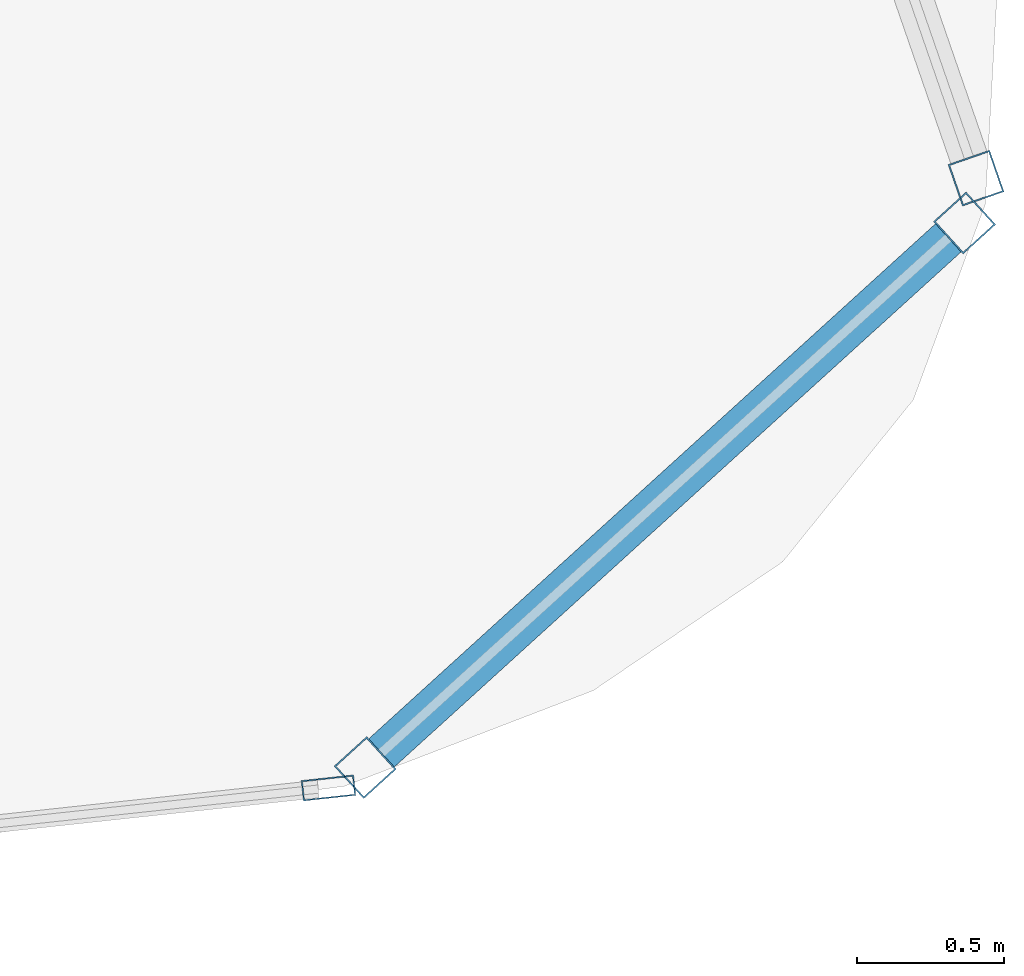
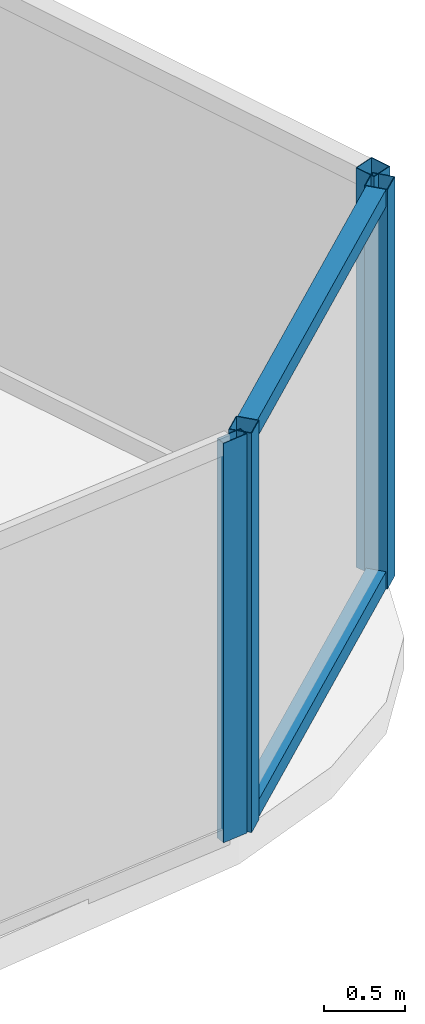
# One storey, part 16 of 38: 6 members, 3 elements without a shape of their own.
"""IFC4 building model written with IfcOpenShell, lengths in metres."""

from ifc_helpers import new_model, si_unit, direction, frame, origin, origin_2d, place, context, subcontext, project, spatial, hollow_rectangle, extrude, material, layer, layer_set, material_profile, profile_set, type_object, element, aggregate, save


model = new_model("IFC4")

# Units and contexts
model_context = context("Model", 3, precision=1e-05, world=origin(), true_north=direction((0.0, 1.0)))
body_context = subcontext(model_context, "Body", "Model", "MODEL_VIEW")
ifc_project = project(units=[si_unit("LENGTHUNIT", "METRE"), si_unit("AREAUNIT", "SQUARE_METRE"), si_unit("VOLUMEUNIT", "CUBIC_METRE"), si_unit("PLANEANGLEUNIT", "RADIAN"), si_unit("MASSUNIT", "GRAM", prefix="KILO")], contexts=[model_context])

# Site, building, storey
site_placement = place(None, origin())
site = spatial("IfcSite", under=ifc_project, at=site_placement, CompositionType="ELEMENT")
building_placement = place(site_placement, origin())
building = spatial("IfcBuilding", under=site, at=building_placement, Name="Orvanel Arch Residences", CompositionType="ELEMENT")
storey_placement = place(building_placement, frame((0.0, 0.0, 56.60009765625)))
storey = spatial("IfcBuildingStorey", under=building, at=storey_placement, Name="L15", CompositionType="ELEMENT", Elevation=56.60009765625)

# Curtain wall, members
ifc_material = material(Name="Bronze-anodised aluminium AA6063-T6", Category="aluminium")
ifc_layer_1 = layer(ifc_material, 0.18994140625)
ifc_layer_set_1 = layer_set([ifc_layer_1], Name="Bronze-anodised aluminium AA6063-T6")
curtain_wall_type_1 = type_object("IfcCurtainWallType", Name="CW5-CRN-SYS", PredefinedType="NOTDEFINED", material=ifc_layer_set_1)
curtain_wall_1_placement = place(storey_placement, origin())
curtain_wall_1 = element("IfcCurtainWall", 1, at=curtain_wall_1_placement, inside=storey, type_object=curtain_wall_type_1, Name="L15 CW5-CRN-SYS Unitised Curtain Wall", PredefinedType="NOTDEFINED")
ifc_material_profile_1 = material_profile(ifc_material, hollow_rectangle(XDim=0.14990234375, YDim=0.14990234375, WallThickness=0.0048828125, at=origin_2d()), Name="ALU150x150x5")
ifc_profile_set_1 = profile_set([ifc_material_profile_1], Name="Bronze-anodised aluminium AA6063-T6")
member_type_1 = type_object("IfcMemberType", Name="MUL-150x150", PredefinedType="MULLION", material=ifc_profile_set_1)
member_1_placement = place(storey_placement, frame((59.25146484375, 3.843505859375, 0.0), z_axis=(0.0, 0.0, 1.0), x_axis=(-0.672467632869, 0.740126531577, 0.0)))
member_1 = element("IfcMember", 2, at=member_1_placement, type_object=member_type_1, Name="CW-S5 mullion 1", PredefinedType="MULLION", context=body_context, shape_type="SweptSolid", body=[
    extrude(hollow_rectangle(XDim=0.14990234375, YDim=0.14990234375, WallThickness=0.0048828125, at=origin_2d()), origin(), (0.0, 0.0, 1.0), 3.02001953125),
])
member_2_placement = place(storey_placement, frame((61.29541015625, 5.70068359375, 0.0), z_axis=(0.0, 0.0, 1.0), x_axis=(-0.672467632869, 0.740126531577, 0.0)))
member_2 = element("IfcMember", 3, at=member_2_placement, type_object=member_type_1, Name="CW-S5 mullion 2", PredefinedType="MULLION", context=body_context, shape_type="SweptSolid", body=[
    extrude(hollow_rectangle(XDim=0.14990234375, YDim=0.14990234375, WallThickness=0.0048828125, at=origin_2d()), origin(), (0.0, 0.0, 1.0), 3.02001953125),
])

# Curtain wall, member
curtain_wall_2_placement = place(storey_placement, origin())
curtain_wall_2 = element("IfcCurtainWall", 4, at=curtain_wall_2_placement, inside=storey, type_object=curtain_wall_type_1, Name="L15 CW5-CRN-SYS Unitised Curtain Wall", PredefinedType="NOTDEFINED")
member_3_placement = place(storey_placement, frame((61.33447265625, 5.853759765625, 0.0), z_axis=(0.0, 0.0, 1.0), x_axis=(-0.944975613597, -0.327140779645, 0.0)))
member_3 = element("IfcMember", 5, at=member_3_placement, type_object=member_type_1, Name="CW-S5 mullion 1", PredefinedType="MULLION", context=body_context, shape_type="SweptSolid", body=[
    extrude(hollow_rectangle(XDim=0.14990234375, YDim=0.14990234375, WallThickness=0.0048828125, at=origin_2d()), origin(), (0.0, 0.0, 1.0), 3.02001953125),
])
aggregate(curtain_wall_2, [member_3])

ifc_layer_2 = layer(ifc_material, 0.179931640625)
ifc_layer_set_2 = layer_set([ifc_layer_2], Name="Bronze-anodised aluminium AA6063-T6")
curtain_wall_type_2 = type_object("IfcCurtainWallType", Name="CW2-LOW-SYS", PredefinedType="NOTDEFINED", material=ifc_layer_set_2)
curtain_wall_3_placement = place(storey_placement, origin())
curtain_wall_3 = element("IfcCurtainWall", 6, at=curtain_wall_3_placement, inside=storey, type_object=curtain_wall_type_2, Name="L15 CW2-LOW-SYS Unitised Curtain Wall", PredefinedType="NOTDEFINED")
ifc_material_profile_2 = material_profile(ifc_material, hollow_rectangle(XDim=0.070068359375, YDim=0.179931640625, WallThickness=0.00439453125, at=origin_2d()), Name="ALU180x70x4.5")
ifc_profile_set_2 = profile_set([ifc_material_profile_2], Name="Bronze-anodised aluminium AA6063-T6")
member_type_2 = type_object("IfcMemberType", Name="MUL-180x70", PredefinedType="MULLION", material=ifc_profile_set_2)
member_4_placement = place(storey_placement, frame((59.126220703125, 3.774169921875, 0.0), z_axis=(0.0, 0.0, 1.0), x_axis=(-0.107357145401, 0.994220520474, 0.0)))
member_4 = element("IfcMember", 7, at=member_4_placement, type_object=member_type_2, Name="CW-S2 mullion 4", PredefinedType="MULLION", context=body_context, shape_type="SweptSolid", body=[
    extrude(hollow_rectangle(XDim=0.070068359375, YDim=0.179931640625, WallThickness=0.00439453125, at=origin_2d()), origin(), (0.0, 0.0, 1.0), 3.02001953125),
])
aggregate(curtain_wall_3, [member_4])

# Member
ifc_material_profile_3 = material_profile(ifc_material, hollow_rectangle(XDim=0.1298828125, YDim=0.1298828125, WallThickness=0.00439453125, at=origin_2d()), Name="ALU130x130x4.5")
ifc_profile_set_3 = profile_set([ifc_material_profile_3], Name="Bronze-anodised aluminium AA6063-T6")
member_type_3 = type_object("IfcMemberType", Name="TRN-130x130", PredefinedType="USERDEFINED", material=ifc_profile_set_3)
member_5_placement = place(storey_placement, frame((59.30712890625, 3.893798828125, 0.06494140625), z_axis=(0.740092331848, 0.672505271607, 0.0), x_axis=(-0.672505271607, 0.740092331848, 0.0)))
member_5 = element("IfcMember", 8, at=member_5_placement, type_object=member_type_3, Name="CW-S5 transom 1.1", ObjectType="TRANSOM", PredefinedType="USERDEFINED", context=body_context, shape_type="SweptSolid", body=[
    extrude(hollow_rectangle(XDim=0.1298828125, YDim=0.1298828125, WallThickness=0.00439453125, at=origin_2d()), origin(), (0.0, 0.0, 1.0), 2.611572265625),
])

member_6_placement = place(storey_placement, frame((59.30712890625, 3.893798828125, 2.954833984375), z_axis=(0.740092331848, 0.672505271607, 0.0), x_axis=(-0.672505271607, 0.740092331848, 0.0)))
member_6 = element("IfcMember", 9, at=member_6_placement, type_object=member_type_3, Name="CW-S5 transom 1.2", ObjectType="TRANSOM", PredefinedType="USERDEFINED", context=body_context, shape_type="SweptSolid", body=[
    extrude(hollow_rectangle(XDim=0.1298828125, YDim=0.1298828125, WallThickness=0.00439453125, at=origin_2d()), origin(), (0.0, 0.0, 1.0), 2.611572265625),
])

aggregate(curtain_wall_1, [member_1, member_2, member_5, member_6])

save(model, "model.ifc")
